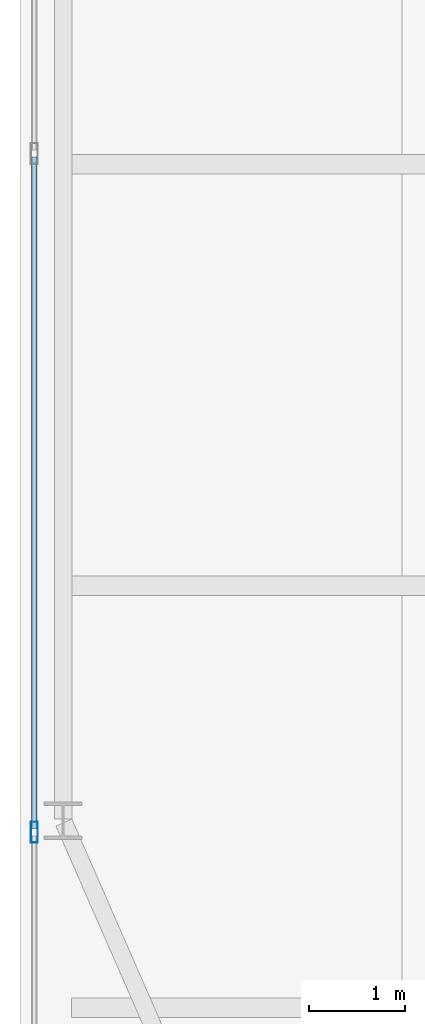
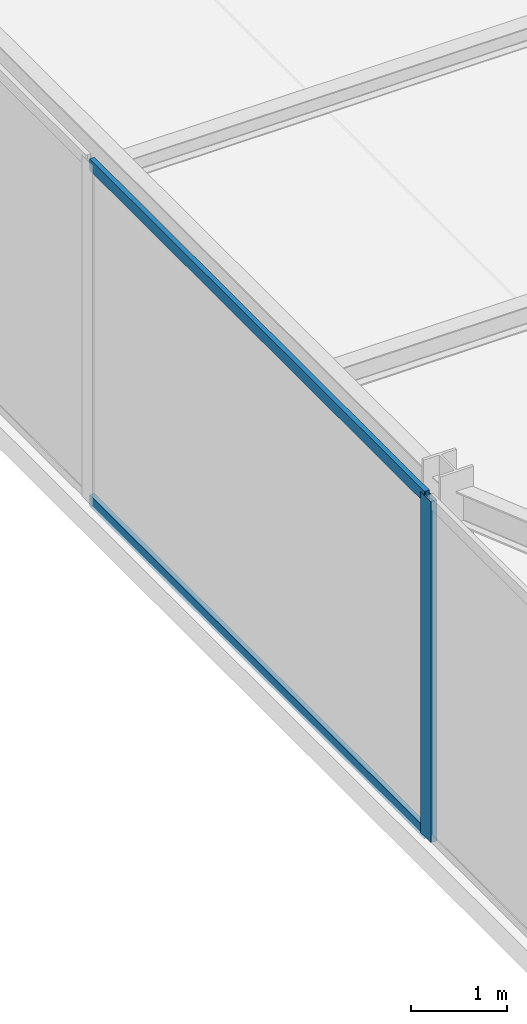
# One storey, part 7 of 32: 3 members, 1 element without a shape of its own.
"""IFC4 building model written with IfcOpenShell, lengths in metres."""

from ifc_helpers import new_model, si_unit, direction, frame, origin, origin_2d, place, context, subcontext, project, spatial, hollow_rectangle, extrude, source, transform, mapped, material, layer, layer_set, material_profile, profile_set, type_object, type_shapes, element, aggregate, save


model = new_model("IFC4")

# Units and contexts
model_context = context("Model", 3, precision=1e-05, world=origin(), true_north=direction((0.0, 1.0)))
body_context = subcontext(model_context, "Body", "Model", "MODEL_VIEW")
ifc_project = project(units=[si_unit("LENGTHUNIT", "METRE"), si_unit("AREAUNIT", "SQUARE_METRE"), si_unit("VOLUMEUNIT", "CUBIC_METRE"), si_unit("PLANEANGLEUNIT", "RADIAN"), si_unit("MASSUNIT", "GRAM", prefix="KILO")], contexts=[model_context])

# Site, building, storey
site_placement = place(None, origin())
site = spatial("IfcSite", under=ifc_project, at=site_placement, CompositionType="ELEMENT")
building_placement = place(site_placement, origin())
building = spatial("IfcBuilding", under=site, at=building_placement, Name="Varnel Quay Broadcast Tower", CompositionType="ELEMENT")
storey_placement = place(building_placement, frame((0.0, 0.0, 98.39990234375)))
storey = spatial("IfcBuildingStorey", under=building, at=storey_placement, Name="L23", CompositionType="ELEMENT", Elevation=98.39990234375)

# Curtain wall, members
ifc_material = material(Name="Anodised Bronze Aluminium 6063-T6", Category="aluminium")
ifc_layer = layer(ifc_material, 0.18994140625, Name="Anodised Bronze Aluminium 6063-T6")
ifc_layer_set = layer_set([ifc_layer], Name="Anodised Bronze Aluminium 6063-T6")
curtain_wall_type = type_object("IfcCurtainWallType", Name="CW_SkyObsHighVis", PredefinedType="NOTDEFINED", material=ifc_layer_set)
curtain_wall_placement = place(storey_placement, origin())
curtain_wall = element("IfcCurtainWall", 1, at=curtain_wall_placement, inside=storey, type_object=curtain_wall_type, Name="L23 West Unitised Curtain Wall", PredefinedType="NOTDEFINED")
ifc_material_profile_1 = material_profile(ifc_material, hollow_rectangle(XDim=0.074951171875, YDim=0.219970703125, WallThickness=0.00390625, at=origin_2d()), Name="ALU75X220X4")
ifc_profile_set_1 = profile_set([ifc_material_profile_1], Name="Anodised Bronze Aluminium 6063-T6")
member_type_1 = type_object("IfcMemberType", Name="Mull_CWS-05", PredefinedType="MULLION", material=ifc_profile_set_1)
shared_shape_1 = source(origin(), body_context, "Body", "SweptSolid", [
    extrude(hollow_rectangle(XDim=0.074951171875, YDim=0.219970703125, WallThickness=0.00390625, at=origin_2d()), origin(), (0.0, 0.0, 1.0), 4.35009765625),
])
type_shapes(member_type_1, [shared_shape_1])
member_1_placement = place(storey_placement, frame((4.64990234375, 14.8798828125, 0.0), z_axis=(0.0, 0.0, 1.0), x_axis=(-1.0, 0.0, 0.0)))
member_1 = element("IfcMember", 2, at=member_1_placement, type_object=member_type_1, Name="CWS-05 mullion 2", PredefinedType="MULLION", context=body_context, shape_type="MappedRepresentation", body=[
    mapped(shared_shape_1, transform((0.0, 0.0, 0.0), x_axis=(1.0, 0.0, 0.0), y_axis=(0.0, 1.0, 0.0), z_axis=(0.0, 0.0, 1.0), scale=1.0)),
])
ifc_material_profile_2 = material_profile(ifc_material, hollow_rectangle(XDim=0.06005859375, YDim=0.14501953125, WallThickness=0.00341796875, at=origin_2d()), Name="ALU60X145X3.5")
ifc_profile_set_2 = profile_set([ifc_material_profile_2], Name="Anodised Bronze Aluminium 6063-T6")
member_type_2 = type_object("IfcMemberType", Name="Tran_CWS-05", PredefinedType="USERDEFINED", material=ifc_profile_set_2)
shared_shape_2 = source(origin(), body_context, "Body", "SweptSolid", [
    extrude(hollow_rectangle(XDim=0.06005859375, YDim=0.14501953125, WallThickness=0.00341796875, at=origin_2d()), origin(), (0.0, 0.0, 1.0), 7.005126953125),
])
type_shapes(member_type_2, [shared_shape_2])
member_2_placement = place(storey_placement, frame((4.64990234375, 14.91748046875, 0.030029296875), z_axis=(0.0, 1.0, 0.0), x_axis=(-1.0, 0.0, 0.0)))
member_2 = element("IfcMember", 3, at=member_2_placement, type_object=member_type_2, Name="CWS-05 transom 2.1", ObjectType="TRANSOM", PredefinedType="USERDEFINED", context=body_context, shape_type="MappedRepresentation", body=[
    mapped(shared_shape_2, transform((0.0, 0.0, 0.0), x_axis=(1.0, 0.0, 0.0), y_axis=(0.0, 1.0, 0.0), z_axis=(0.0, 0.0, 1.0), scale=1.0)),
])
member_3_placement = place(storey_placement, frame((4.64990234375, 14.91748046875, 4.320068359375), z_axis=(0.0, 1.0, 0.0), x_axis=(-1.0, 0.0, 0.0)))
member_3 = element("IfcMember", 4, at=member_3_placement, type_object=member_type_2, Name="CWS-05 transom 2.2", ObjectType="TRANSOM", PredefinedType="USERDEFINED", context=body_context, shape_type="MappedRepresentation", body=[
    mapped(shared_shape_2, transform((0.0, 0.0, 0.0), x_axis=(1.0, 0.0, 0.0), y_axis=(0.0, 1.0, 0.0), z_axis=(0.0, 0.0, 1.0), scale=1.0)),
])
aggregate(curtain_wall, [member_1, member_2, member_3])

save(model, "model.ifc")
